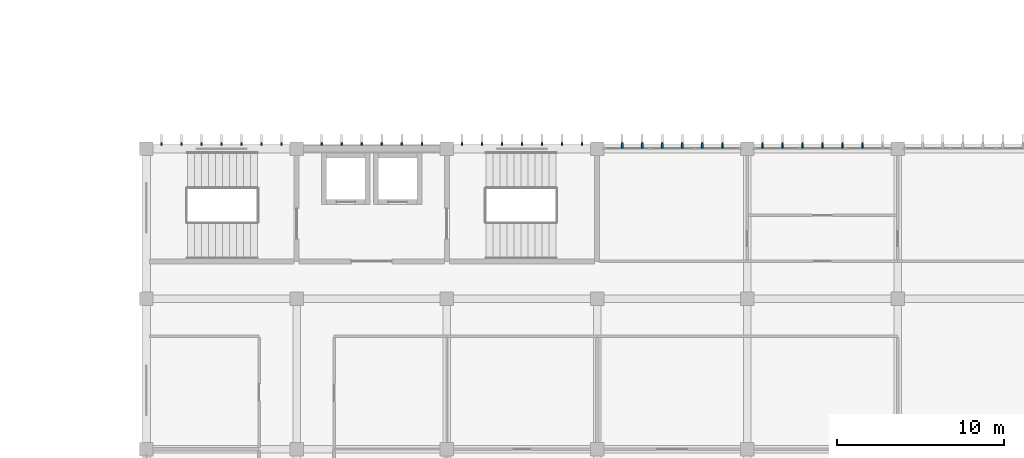
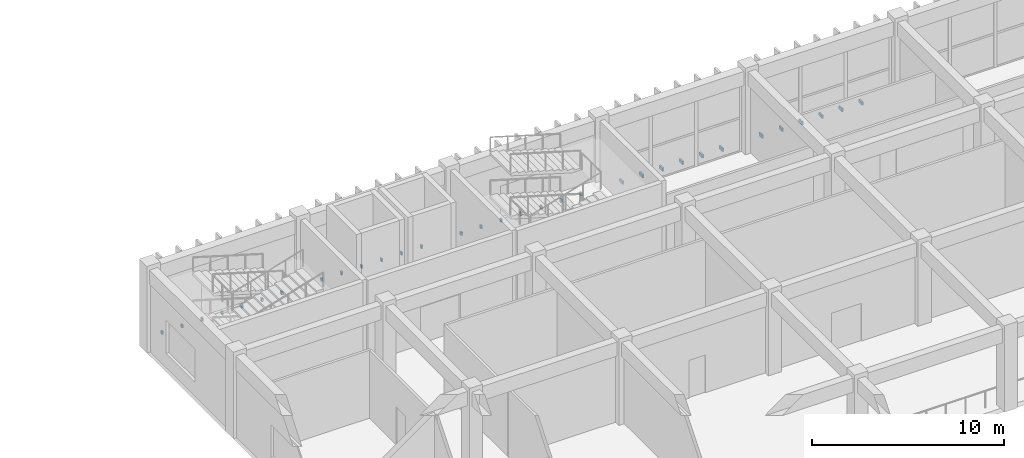
# One storey, part 160 of 185: 32 discrete accessories.
"""IFC4 building model written with IfcOpenShell, lengths in metres."""

from ifc_helpers import new_model, si_unit, direction, frame, origin, origin_2d, place, context, subcontext, project, spatial, rectangle, extrude, material, type_object, element, save


model = new_model("IFC4")

# Units and contexts
model_context = context("Model", 3, precision=1e-05, world=origin(), true_north=direction((0.0, 1.0)))
body_context = subcontext(model_context, "Body", "Model", "MODEL_VIEW")
ifc_project = project(units=[si_unit("LENGTHUNIT", "METRE"), si_unit("AREAUNIT", "SQUARE_METRE"), si_unit("VOLUMEUNIT", "CUBIC_METRE"), si_unit("PLANEANGLEUNIT", "RADIAN"), si_unit("MASSUNIT", "GRAM", prefix="KILO")], contexts=[model_context])

# Site, building, storey
site_placement = place(None, origin())
site = spatial("IfcSite", under=ifc_project, at=site_placement, CompositionType="ELEMENT")
building_placement = place(site_placement, origin())
building = spatial("IfcBuilding", under=site, at=building_placement, Name="Opaline Strait Convention Centre", CompositionType="ELEMENT")
storey_placement = place(building_placement, frame((0.0, 0.0, 6.0)))
storey = spatial("IfcBuildingStorey", under=building, at=storey_placement, Name="L01", CompositionType="ELEMENT", Elevation=6.0)

# Discrete accessories
ifc_material = material(Name="Stainless steel 304", Category="steel")
discrete_accessory_type = type_object("IfcDiscreteAccessoryType", Name="Fin bracket 150 stainless steel", PredefinedType="BRACKET", material=ifc_material)
for number, where, z_axis, x_axis, name in (
    (1, (279.89990234375, 180.27490234375, 0.35009765625), (0.0, 0.0, 1.0), (1.0, 0.0, 0.0), "Fin bracket"),
    (2, (281.10009765625, 180.27490234375, 0.35009765625), (0.0, 0.0, 1.0), (1.0, 0.0, 0.0), "Fin bracket"),
    (3, (282.300048828125, 180.27490234375, 0.35009765625), (0.0, 0.0, 1.0), (1.0, 0.0, 0.0), "Fin bracket"),
    (4, (283.5, 180.27490234375, 0.35009765625), (0.0, 0.0, 1.0), (1.0, 0.0, 0.0), "Fin bracket"),
    (5, (284.699951171875, 180.27490234375, 0.35009765625), (0.0, 0.0, 1.0), (1.0, 0.0, 0.0), "Fin bracket"),
    (6, (285.89990234375, 180.27490234375, 0.35009765625), (0.0, 0.0, 1.0), (1.0, 0.0, 0.0), "Fin bracket"),
    (7, (287.10009765625, 180.27490234375, 0.35009765625), (0.0, 0.0, 1.0), (1.0, 0.0, 0.0), "Fin bracket"),
    (8, (289.5, 180.27490234375, 0.35009765625), (0.0, 0.0, 1.0), (1.0, 0.0, 0.0), "Fin bracket"),
    (9, (290.699951171875, 180.27490234375, 0.35009765625), (0.0, 0.0, 1.0), (1.0, 0.0, 0.0), "Fin bracket"),
    (10, (291.89990234375, 180.27490234375, 0.35009765625), (0.0, 0.0, 1.0), (1.0, 0.0, 0.0), "Fin bracket"),
    (11, (293.10009765625, 180.27490234375, 0.35009765625), (0.0, 0.0, 1.0), (1.0, 0.0, 0.0), "Fin bracket"),
    (12, (294.300048828125, 180.27490234375, 0.35009765625), (0.0, 0.0, 1.0), (1.0, 0.0, 0.0), "Fin bracket"),
    (13, (295.5, 180.27490234375, 0.35009765625), (0.0, 0.0, 1.0), (1.0, 0.0, 0.0), "Fin bracket"),
    (14, (297.89990234375, 180.27490234375, 0.35009765625), (0.0, 0.0, 1.0), (1.0, 0.0, 0.0), "Fin bracket"),
    (15, (299.10009765625, 180.27490234375, 0.35009765625), (0.0, 0.0, 1.0), (1.0, 0.0, 0.0), "Fin bracket"),
    (16, (300.300048828125, 180.27490234375, 0.35009765625), (0.0, 0.0, 1.0), (1.0, 0.0, 0.0), "Fin bracket"),
    (17, (301.5, 180.27490234375, 0.35009765625), (0.0, 0.0, 1.0), (1.0, 0.0, 0.0), "Fin bracket"),
    (18, (302.699951171875, 180.27490234375, 0.35009765625), (0.0, 0.0, 1.0), (1.0, 0.0, 0.0), "Fin bracket"),
    (19, (303.89990234375, 180.27490234375, 0.35009765625), (0.0, 0.0, 1.0), (1.0, 0.0, 0.0), "Fin bracket"),
    (20, (305.10009765625, 180.27490234375, 0.35009765625), (0.0, 0.0, 1.0), (1.0, 0.0, 0.0), "Fin bracket"),
):
    element("IfcDiscreteAccessory", number, at=place(storey_placement, frame(where, z_axis=z_axis, x_axis=x_axis)), inside=storey, type_object=discrete_accessory_type, Name=name, PredefinedType="BRACKET", context=body_context, shape_type="SweptSolid", body=[
        extrude(rectangle(XDim=0.10009765625, YDim=0.14990234375, at=origin_2d()), origin(), (0.0, 0.0, 1.0), 0.199951171875),
    ])
for number, where, z_axis, x_axis, name in (
    (21, (307.5, 180.181884765625, 0.35009765625), (0.0, 0.0, 1.0), (1.0, 0.0, 0.0), "Fin bracket"),
    (22, (308.699951171875, 180.181884765625, 0.35009765625), (0.0, 0.0, 1.0), (1.0, 0.0, 0.0), "Fin bracket"),
    (23, (309.89990234375, 180.181884765625, 0.35009765625), (0.0, 0.0, 1.0), (1.0, 0.0, 0.0), "Fin bracket"),
    (24, (311.10009765625, 180.181884765625, 0.35009765625), (0.0, 0.0, 1.0), (1.0, 0.0, 0.0), "Fin bracket"),
    (25, (312.300048828125, 180.181884765625, 0.35009765625), (0.0, 0.0, 1.0), (1.0, 0.0, 0.0), "Fin bracket"),
    (26, (313.5, 180.181884765625, 0.35009765625), (0.0, 0.0, 1.0), (1.0, 0.0, 0.0), "Fin bracket"),
    (27, (315.89990234375, 180.181884765625, 0.35009765625), (0.0, 0.0, 1.0), (1.0, 0.0, 0.0), "Fin bracket"),
    (28, (317.10009765625, 180.181884765625, 0.35009765625), (0.0, 0.0, 1.0), (1.0, 0.0, 0.0), "Fin bracket"),
    (29, (318.300048828125, 180.181884765625, 0.35009765625), (0.0, 0.0, 1.0), (1.0, 0.0, 0.0), "Fin bracket"),
    (30, (319.5, 180.181884765625, 0.35009765625), (0.0, 0.0, 1.0), (1.0, 0.0, 0.0), "Fin bracket"),
    (31, (320.699951171875, 180.181884765625, 0.35009765625), (0.0, 0.0, 1.0), (1.0, 0.0, 0.0), "Fin bracket"),
    (32, (321.89990234375, 180.181884765625, 0.35009765625), (0.0, 0.0, 1.0), (1.0, 0.0, 0.0), "Fin bracket"),
):
    element("IfcDiscreteAccessory", number, at=place(storey_placement, frame(where, z_axis=z_axis, x_axis=x_axis)), inside=storey, type_object=discrete_accessory_type, Name=name, PredefinedType="BRACKET", context=body_context, shape_type="SweptSolid", body=[
        extrude(rectangle(XDim=0.10009765625, YDim=0.3359375, at=origin_2d()), origin(), (0.0, 0.0, 1.0), 0.199951171875),
    ])

save(model, "model.ifc")
